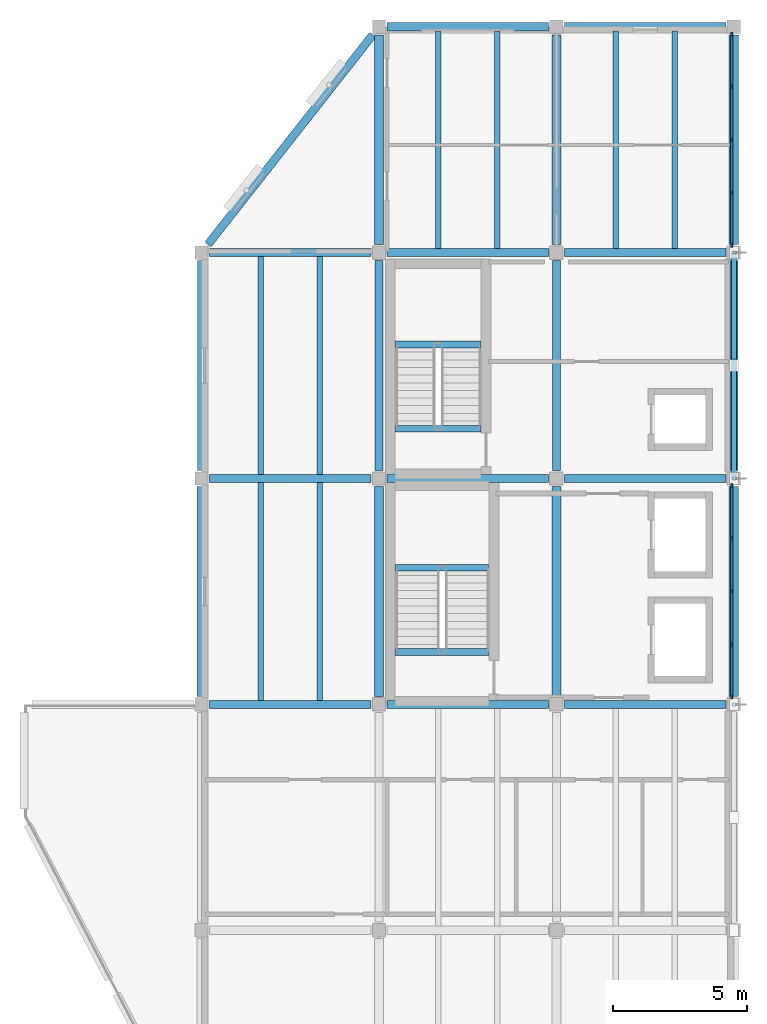
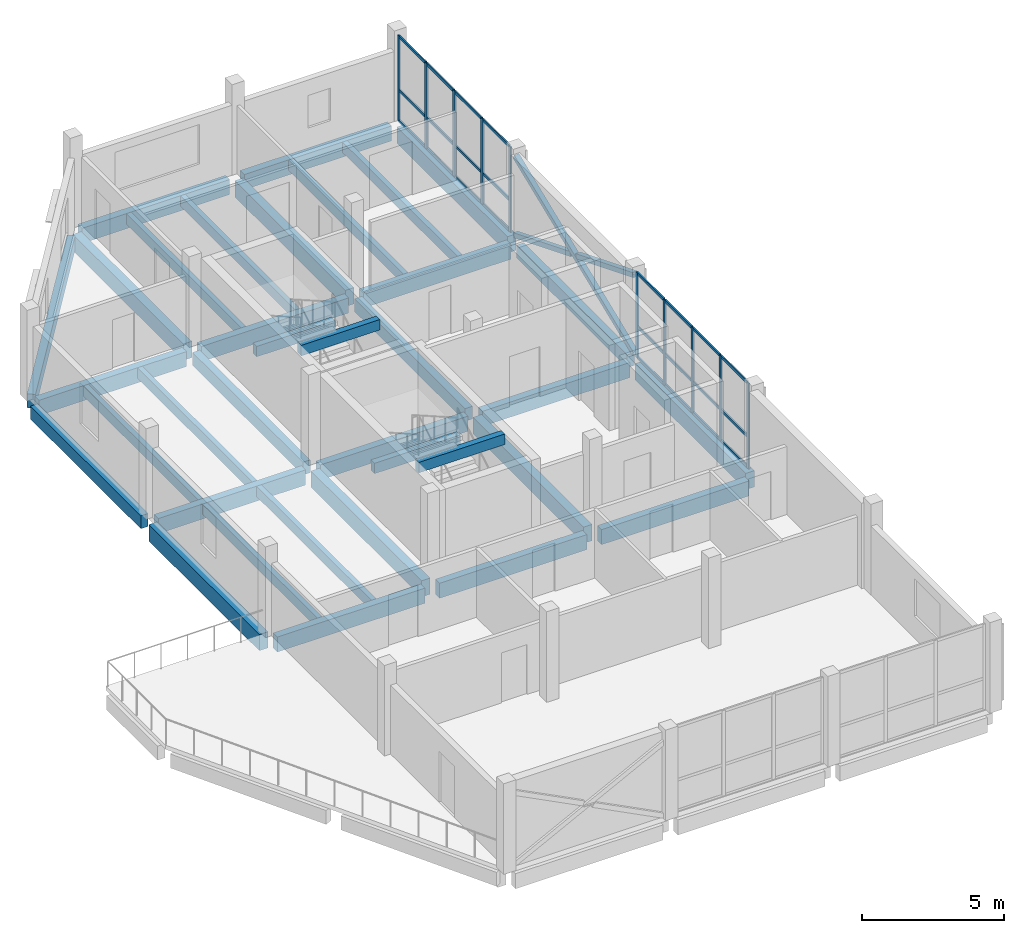
# One storey, part 3 of 9: 37 members, 35 beams, 2 elements without a shape of their own.
"""IFC4 building model written with IfcOpenShell, lengths in metres."""

from ifc_helpers import new_model, si_unit, direction, frame, origin, origin_2d, place, context, subcontext, project, spatial, rectangle, hollow_rectangle, extrude, material, material_profile, profile_set, type_object, element, aggregate, save


model = new_model("IFC4")

# Units and contexts
model_context = context("Model", 3, precision=1e-05, world=origin(), true_north=direction((0.0, 1.0)))
body_context = subcontext(model_context, "Body", "Model", "MODEL_VIEW")
ifc_project = project(units=[si_unit("LENGTHUNIT", "METRE"), si_unit("AREAUNIT", "SQUARE_METRE"), si_unit("VOLUMEUNIT", "CUBIC_METRE"), si_unit("PLANEANGLEUNIT", "RADIAN"), si_unit("MASSUNIT", "GRAM", prefix="KILO")], contexts=[model_context])

# Site, building, storey
site_placement = place(None, origin())
site = spatial("IfcSite", under=ifc_project, at=site_placement, CompositionType="ELEMENT")
building_placement = place(site_placement, origin())
building = spatial("IfcBuilding", under=site, at=building_placement, Name="Qaldarim Faculty of Natural and Applied Sciences", CompositionType="ELEMENT")
storey_placement = place(building_placement, frame((0.0, 0.0, 43.199951171875)))
storey = spatial("IfcBuildingStorey", under=building, at=storey_placement, Name="L10", CompositionType="ELEMENT", Elevation=43.199951171875)

# Beams
ifc_material_1 = material(Name="Concrete C40/50", Category="concrete")
ifc_material_profile_1 = material_profile(ifc_material_1, rectangle(XDim=0.300048828125, YDim=0.550048828125, at=origin_2d()), Name="RC-B300x550")
ifc_profile_set_1 = profile_set([ifc_material_profile_1], Name="Concrete C40/50")
beam_type_1 = type_object("IfcBeamType", Name="FloorBeam-RC300x550", PredefinedType="BEAM", material=ifc_profile_set_1)
for number, where, z_axis, x_axis, name in (
    (1, (158.39990234375, 25.5, -0.494873046875), (0.0, 1.0, 0.0), (-1.0, 0.0, 0.0), "Beam RC-B300x550 L09 X25/Y04-Y05"),
    (2, (165.0, 25.5, -0.494873046875), (0.0, 1.0, 0.0), (-1.0, 0.0, 0.0), "Beam RC-B300x550 L09 X26/Y04-Y05"),
    (3, (171.60009765625, 25.5, -0.494873046875), (0.0, 1.0, 0.0), (-1.0, 0.0, 0.0), "Beam RC-B300x550 L09 X27/Y04-Y05"),
    (4, (178.199951171875, 25.5, -0.494873046875), (0.0, 1.0, 0.0), (-1.0, 0.0, 0.0), "Beam RC-B300x550 L09 X28/Y04-Y05"),
):
    element("IfcBeam", number, at=place(storey_placement, frame(where, z_axis=z_axis, x_axis=x_axis)), inside=storey, type_object=beam_type_1, Name=name, PredefinedType="BEAM", context=body_context, shape_type="SweptSolid", body=[
        extrude(rectangle(XDim=0.300048828125, YDim=0.550048828125, at=origin_2d()), origin(), (0.0, 0.0, 1.0), 7.800048828125),
    ])
ifc_material_profile_2 = material_profile(ifc_material_1, rectangle(XDim=0.199951171875, YDim=0.449951171875, at=origin_2d()), Name="RC-J200x450")
ifc_profile_set_2 = profile_set([ifc_material_profile_2], Name="Concrete C40/50")
beam_type_2 = type_object("IfcBeamType", Name="LabJoist-RC200x450", PredefinedType="JOIST", material=ifc_profile_set_2)
for number, where, z_axis, x_axis, name in (
    (5, (160.60009765625, 16.949951171875, -0.445068359375), (0.0, 1.0, 0.0), (-1.0, 0.0, 0.0), "Laboratory joist L09 bay X25Y03-1"),
    (6, (162.800048828125, 16.949951171875, -0.445068359375), (0.0, 1.0, 0.0), (-1.0, 0.0, 0.0), "Laboratory joist L09 bay X25Y03-2"),
):
    element("IfcBeam", number, at=place(storey_placement, frame(where, z_axis=z_axis, x_axis=x_axis)), inside=storey, type_object=beam_type_2, Name=name, PredefinedType="JOIST", context=body_context, shape_type="SweptSolid", body=[
        extrude(rectangle(XDim=0.199951171875, YDim=0.449951171875, at=origin_2d()), origin(), (0.0, 0.0, 1.0), 8.10009765625),
    ])
for number, where, z_axis, x_axis, name in (
    (7, (160.60009765625, 25.35009765625, -0.445068359375), (0.0, 1.0, 0.0), (-1.0, 0.0, 0.0), "Laboratory joist L09 bay X25Y04-1"),
    (8, (162.800048828125, 25.35009765625, -0.445068359375), (0.0, 1.0, 0.0), (-1.0, 0.0, 0.0), "Laboratory joist L09 bay X25Y04-2"),
):
    element("IfcBeam", number, at=place(storey_placement, frame(where, z_axis=z_axis, x_axis=x_axis)), inside=storey, type_object=beam_type_2, Name=name, PredefinedType="JOIST", context=body_context, shape_type="SweptSolid", body=[
        extrude(rectangle(XDim=0.199951171875, YDim=0.449951171875, at=origin_2d()), origin(), (0.0, 0.0, 1.0), 8.099853515625),
    ])
for number, where, z_axis, x_axis, name in (
    (9, (167.199951171875, 33.75, -0.445068359375), (0.0, 1.0, 0.0), (-1.0, 0.0, 0.0), "Laboratory joist L09 bay X26Y05-1"),
    (10, (169.39990234375, 33.75, -0.445068359375), (0.0, 1.0, 0.0), (-1.0, 0.0, 0.0), "Laboratory joist L09 bay X26Y05-2"),
    (11, (173.800048828125, 33.75, -0.445068359375), (0.0, 1.0, 0.0), (-1.0, 0.0, 0.0), "Laboratory joist L09 bay X27Y05-1"),
    (12, (176.0, 33.75, -0.445068359375), (0.0, 1.0, 0.0), (-1.0, 0.0, 0.0), "Laboratory joist L09 bay X27Y05-2"),
):
    element("IfcBeam", number, at=place(storey_placement, frame(where, z_axis=z_axis, x_axis=x_axis)), inside=storey, type_object=beam_type_2, Name=name, PredefinedType="JOIST", context=body_context, shape_type="SweptSolid", body=[
        extrude(rectangle(XDim=0.199951171875, YDim=0.449951171875, at=origin_2d()), origin(), (0.0, 0.0, 1.0), 8.10009765625),
    ])
ifc_material_profile_3 = material_profile(ifc_material_1, rectangle(XDim=0.25, YDim=0.449951171875, at=origin_2d()), Name="RC-LN250x450")
ifc_profile_set_3 = profile_set([ifc_material_profile_3], Name="Concrete C40/50")
beam_type_3 = type_object("IfcBeamType", Name="LandingSupportBeam-RC250x450", PredefinedType="BEAM", material=ifc_profile_set_3)
for number, where, z_axis, x_axis, name in (
    (13, (165.60009765625, 21.885009765625, 1.51513671875), (1.0, 0.0, 0.0), (0.0, 1.0, 0.0), "Stair landing support beam ST-A1 L10"),
    (14, (165.60009765625, 18.75, 3.455078125), (1.0, 0.0, 0.0), (0.0, 1.0, 0.0), "Stair arrival support beam ST-A1 L10"),
):
    element("IfcBeam", number, at=place(storey_placement, frame(where, z_axis=z_axis, x_axis=x_axis)), inside=storey, type_object=beam_type_3, Name=name, PredefinedType="BEAM", context=body_context, shape_type="SweptSolid", body=[
        extrude(rectangle(XDim=0.25, YDim=0.449951171875, at=origin_2d()), origin(), (0.0, 0.0, 1.0), 3.5),
    ])
for number, where, z_axis, x_axis, name in (
    (15, (165.60009765625, 30.18505859375, 1.51513671875), (1.0, 0.0, 0.0), (0.0, 1.0, 0.0), "Stair landing support beam ST-A2 L10"),
    (16, (165.60009765625, 27.050048828125, 3.455078125), (1.0, 0.0, 0.0), (0.0, 1.0, 0.0), "Stair arrival support beam ST-A2 L10"),
):
    element("IfcBeam", number, at=place(storey_placement, frame(where, z_axis=z_axis, x_axis=x_axis)), inside=storey, type_object=beam_type_3, Name=name, PredefinedType="BEAM", context=body_context, shape_type="SweptSolid", body=[
        extrude(rectangle(XDim=0.25, YDim=0.449951171875, at=origin_2d()), origin(), (0.0, 0.0, 1.0), 3.199951171875),
    ])

# Curtain wall, members
ifc_material_2 = material(Name="Anodised aluminium AW-6063", Category="aluminium")
curtain_wall_type = type_object("IfcCurtainWallType", Name="CurtainWallSystem-M1950", PredefinedType="USERDEFINED", material=ifc_material_2)
curtain_wall_1_placement = place(storey_placement, origin())
curtain_wall_1 = element("IfcCurtainWall", 17, at=curtain_wall_1_placement, inside=storey, type_object=curtain_wall_type, Name="Curtain wall CW-L10-E-X27Y03", ObjectType="UNITISED FACADE", PredefinedType="USERDEFINED")
ifc_material_profile_4 = material_profile(ifc_material_2, rectangle(XDim=0.06005859375, YDim=0.14990234375, at=origin_2d()), Name="ALU-M60x150")
ifc_profile_set_4 = profile_set([ifc_material_profile_4], Name="Anodised aluminium AW-6063")
member_type_1 = type_object("IfcMemberType", Name="Mullion-ALU60x150", PredefinedType="MULLION", material=ifc_profile_set_4)
member_1_placement = place(storey_placement, frame((178.1201171875, 17.074951171875, 0.0), z_axis=(0.0, 0.0, 1.0), x_axis=(-1.0, 0.0, 0.0)))
member_1 = element("IfcMember", 18, at=member_1_placement, type_object=member_type_1, Name="Mullion 1 of CW-L10-E-X27Y03", PredefinedType="MULLION", context=body_context, shape_type="SweptSolid", body=[
    extrude(rectangle(XDim=0.06005859375, YDim=0.14990234375, at=origin_2d()), origin(), (0.0, 0.0, 1.0), 3.679931640625),
])
member_2_placement = place(storey_placement, frame((178.1201171875, 19.0224609375, 0.0), z_axis=(0.0, 0.0, 1.0), x_axis=(-1.0, 0.0, 0.0)))
member_2 = element("IfcMember", 19, at=member_2_placement, type_object=member_type_1, Name="Mullion 2 of CW-L10-E-X27Y03", PredefinedType="MULLION", context=body_context, shape_type="SweptSolid", body=[
    extrude(rectangle(XDim=0.06005859375, YDim=0.14990234375, at=origin_2d()), origin(), (0.0, 0.0, 1.0), 3.679931640625),
])
member_3_placement = place(storey_placement, frame((178.1201171875, 21.0, 0.0), z_axis=(0.0, 0.0, 1.0), x_axis=(-1.0, 0.0, 0.0)))
member_3 = element("IfcMember", 20, at=member_3_placement, type_object=member_type_1, Name="Mullion 3 of CW-L10-E-X27Y03", PredefinedType="MULLION", context=body_context, shape_type="SweptSolid", body=[
    extrude(rectangle(XDim=0.06005859375, YDim=0.14990234375, at=origin_2d()), origin(), (0.0, 0.0, 1.0), 3.679931640625),
])
member_4_placement = place(storey_placement, frame((178.1201171875, 22.9775390625, 0.0), z_axis=(0.0, 0.0, 1.0), x_axis=(-1.0, 0.0, 0.0)))
member_4 = element("IfcMember", 21, at=member_4_placement, type_object=member_type_1, Name="Mullion 4 of CW-L10-E-X27Y03", PredefinedType="MULLION", context=body_context, shape_type="SweptSolid", body=[
    extrude(rectangle(XDim=0.06005859375, YDim=0.14990234375, at=origin_2d()), origin(), (0.0, 0.0, 1.0), 3.679931640625),
])
member_5_placement = place(storey_placement, frame((178.1201171875, 24.925048828125, 0.0), z_axis=(0.0, 0.0, 1.0), x_axis=(-1.0, 0.0, 0.0)))
member_5 = element("IfcMember", 22, at=member_5_placement, type_object=member_type_1, Name="Mullion 5 of CW-L10-E-X27Y03", PredefinedType="MULLION", context=body_context, shape_type="SweptSolid", body=[
    extrude(rectangle(XDim=0.06005859375, YDim=0.14990234375, at=origin_2d()), origin(), (0.0, 0.0, 1.0), 3.679931640625),
])

curtain_wall_2_placement = place(storey_placement, origin())
curtain_wall_2 = element("IfcCurtainWall", 23, at=curtain_wall_2_placement, inside=storey, type_object=curtain_wall_type, Name="Curtain wall CW-L10-E-X27Y05", ObjectType="UNITISED FACADE", PredefinedType="USERDEFINED")
member_6_placement = place(storey_placement, frame((178.1201171875, 33.875, 0.0), z_axis=(0.0, 0.0, 1.0), x_axis=(-1.0, 0.0, 0.0)))
member_6 = element("IfcMember", 24, at=member_6_placement, type_object=member_type_1, Name="Mullion 1 of CW-L10-E-X27Y05", PredefinedType="MULLION", context=body_context, shape_type="SweptSolid", body=[
    extrude(rectangle(XDim=0.06005859375, YDim=0.14990234375, at=origin_2d()), origin(), (0.0, 0.0, 1.0), 3.679931640625),
])
member_7_placement = place(storey_placement, frame((178.1201171875, 35.822509765625, 0.0), z_axis=(0.0, 0.0, 1.0), x_axis=(-1.0, 0.0, 0.0)))
member_7 = element("IfcMember", 25, at=member_7_placement, type_object=member_type_1, Name="Mullion 2 of CW-L10-E-X27Y05", PredefinedType="MULLION", context=body_context, shape_type="SweptSolid", body=[
    extrude(rectangle(XDim=0.06005859375, YDim=0.14990234375, at=origin_2d()), origin(), (0.0, 0.0, 1.0), 3.679931640625),
])
member_8_placement = place(storey_placement, frame((178.1201171875, 37.800048828125, 0.0), z_axis=(0.0, 0.0, 1.0), x_axis=(-1.0, 0.0, 0.0)))
member_8 = element("IfcMember", 26, at=member_8_placement, type_object=member_type_1, Name="Mullion 3 of CW-L10-E-X27Y05", PredefinedType="MULLION", context=body_context, shape_type="SweptSolid", body=[
    extrude(rectangle(XDim=0.06005859375, YDim=0.14990234375, at=origin_2d()), origin(), (0.0, 0.0, 1.0), 3.679931640625),
])
member_9_placement = place(storey_placement, frame((178.1201171875, 39.777587890625, 0.0), z_axis=(0.0, 0.0, 1.0), x_axis=(-1.0, 0.0, 0.0)))
member_9 = element("IfcMember", 27, at=member_9_placement, type_object=member_type_1, Name="Mullion 4 of CW-L10-E-X27Y05", PredefinedType="MULLION", context=body_context, shape_type="SweptSolid", body=[
    extrude(rectangle(XDim=0.06005859375, YDim=0.14990234375, at=origin_2d()), origin(), (0.0, 0.0, 1.0), 3.679931640625),
])
member_10_placement = place(storey_placement, frame((178.1201171875, 41.72509765625, 0.0), z_axis=(0.0, 0.0, 1.0), x_axis=(-1.0, 0.0, 0.0)))
member_10 = element("IfcMember", 28, at=member_10_placement, type_object=member_type_1, Name="Mullion 5 of CW-L10-E-X27Y05", PredefinedType="MULLION", context=body_context, shape_type="SweptSolid", body=[
    extrude(rectangle(XDim=0.06005859375, YDim=0.14990234375, at=origin_2d()), origin(), (0.0, 0.0, 1.0), 3.679931640625),
])

# Beams
ifc_material_profile_5 = material_profile(ifc_material_1, rectangle(XDim=0.300048828125, YDim=0.64990234375, at=origin_2d()), Name="RC-B300x650")
ifc_profile_set_5 = profile_set([ifc_material_profile_5], Name="Concrete C40/50")
beam_type_4 = type_object("IfcBeamType", Name="PrimaryBeam-RC300x650", PredefinedType="BEAM", material=ifc_profile_set_5)
for number, where, z_axis, x_axis, name in (
    (29, (158.699951171875, 16.800048828125, -0.544921875), (1.0, 0.0, 0.0), (0.0, 1.0, 0.0), "Beam RC-B300x650 L09 X25-X26/Y03"),
    (30, (165.300048828125, 16.800048828125, -0.544921875), (1.0, 0.0, 0.0), (0.0, 1.0, 0.0), "Beam RC-B300x650 L09 X26-X27/Y03"),
    (31, (171.89990234375, 16.800048828125, -0.544921875), (1.0, 0.0, 0.0), (0.0, 1.0, 0.0), "Beam RC-B300x650 L09 X27-X28/Y03"),
    (32, (158.699951171875, 25.199951171875, -0.544921875), (1.0, 0.0, 0.0), (0.0, 1.0, 0.0), "Beam RC-B300x650 L09 X25-X26/Y04"),
    (33, (165.300048828125, 25.199951171875, -0.544921875), (1.0, 0.0, 0.0), (0.0, 1.0, 0.0), "Beam RC-B300x650 L09 X26-X27/Y04"),
    (34, (171.89990234375, 25.199951171875, -0.544921875), (1.0, 0.0, 0.0), (0.0, 1.0, 0.0), "Beam RC-B300x650 L09 X27-X28/Y04"),
    (35, (158.699951171875, 33.60009765625, -0.544921875), (1.0, 0.0, 0.0), (0.0, 1.0, 0.0), "Beam RC-B300x650 L09 X25-X26/Y05"),
    (36, (165.300048828125, 33.60009765625, -0.544921875), (1.0, 0.0, 0.0), (0.0, 1.0, 0.0), "Beam RC-B300x650 L09 X26-X27/Y05"),
    (37, (171.89990234375, 33.60009765625, -0.544921875), (1.0, 0.0, 0.0), (0.0, 1.0, 0.0), "Beam RC-B300x650 L09 X27-X28/Y05"),
    (38, (165.300048828125, 42.0, -0.544921875), (1.0, 0.0, 0.0), (0.0, 1.0, 0.0), "Beam RC-B300x650 L09 X26-X27/Y06"),
    (39, (171.89990234375, 42.0, -0.544921875), (1.0, 0.0, 0.0), (0.0, 1.0, 0.0), "Beam RC-B300x650 L09 X27-X28/Y06"),
):
    element("IfcBeam", number, at=place(storey_placement, frame(where, z_axis=z_axis, x_axis=x_axis)), inside=storey, type_object=beam_type_4, Name=name, PredefinedType="BEAM", context=body_context, shape_type="SweptSolid", body=[
        extrude(rectangle(XDim=0.300048828125, YDim=0.64990234375, at=origin_2d()), origin(), (0.0, 0.0, 1.0), 6.0),
    ])
ifc_material_profile_6 = material_profile(ifc_material_1, rectangle(XDim=0.35009765625, YDim=0.699951171875, at=origin_2d()), Name="RC-B350x700")
ifc_profile_set_6 = profile_set([ifc_material_profile_6], Name="Concrete C40/50")
beam_type_5 = type_object("IfcBeamType", Name="PrimaryGirder-RC350x700", PredefinedType="BEAM", material=ifc_profile_set_6)
for number, where, z_axis, x_axis, name in (
    (40, (158.39990234375, 17.10009765625, -0.570068359375), (0.0, 1.0, 0.0), (-1.0, 0.0, 0.0), "Beam RC-B350x700 L09 X25/Y03-Y04"),
    (41, (165.0, 17.10009765625, -0.570068359375), (0.0, 1.0, 0.0), (-1.0, 0.0, 0.0), "Beam RC-B350x700 L09 X26/Y03-Y04"),
):
    element("IfcBeam", number, at=place(storey_placement, frame(where, z_axis=z_axis, x_axis=x_axis)), inside=storey, type_object=beam_type_5, Name=name, PredefinedType="BEAM", context=body_context, shape_type="SweptSolid", body=[
        extrude(rectangle(XDim=0.35009765625, YDim=0.699951171875, at=origin_2d()), origin(), (0.0, 0.0, 1.0), 7.7998046875),
    ])
beam_1_placement = place(storey_placement, frame((165.0, 33.89990234375, -0.570068359375), z_axis=(0.0, 1.0, 0.0), x_axis=(-1.0, 0.0, 0.0)))
element("IfcBeam", 42, at=beam_1_placement, inside=storey, type_object=beam_type_5, Name="Beam RC-B350x700 L09 X26/Y05-Y06", PredefinedType="BEAM", context=body_context, shape_type="SweptSolid", body=[
    extrude(rectangle(XDim=0.35009765625, YDim=0.699951171875, at=origin_2d()), origin(), (0.0, 0.0, 1.0), 7.800048828125),
])
beam_2_placement = place(storey_placement, frame((171.60009765625, 17.10009765625, -0.570068359375), z_axis=(0.0, 1.0, 0.0), x_axis=(-1.0, 0.0, 0.0)))
element("IfcBeam", 43, at=beam_2_placement, inside=storey, type_object=beam_type_5, Name="Beam RC-B350x700 L09 X27/Y03-Y04", PredefinedType="BEAM", context=body_context, shape_type="SweptSolid", body=[
    extrude(rectangle(XDim=0.35009765625, YDim=0.699951171875, at=origin_2d()), origin(), (0.0, 0.0, 1.0), 7.7998046875),
])
beam_3_placement = place(storey_placement, frame((171.60009765625, 33.89990234375, -0.570068359375), z_axis=(0.0, 1.0, 0.0), x_axis=(-1.0, 0.0, 0.0)))
element("IfcBeam", 44, at=beam_3_placement, inside=storey, type_object=beam_type_5, Name="Beam RC-B350x700 L09 X27/Y05-Y06", PredefinedType="BEAM", context=body_context, shape_type="SweptSolid", body=[
    extrude(rectangle(XDim=0.35009765625, YDim=0.699951171875, at=origin_2d()), origin(), (0.0, 0.0, 1.0), 7.800048828125),
])
beam_4_placement = place(storey_placement, frame((178.199951171875, 17.10009765625, -0.570068359375), z_axis=(0.0, 1.0, 0.0), x_axis=(-1.0, 0.0, 0.0)))
element("IfcBeam", 45, at=beam_4_placement, inside=storey, type_object=beam_type_5, Name="Beam RC-B350x700 L09 X28/Y03-Y04", PredefinedType="BEAM", context=body_context, shape_type="SweptSolid", body=[
    extrude(rectangle(XDim=0.35009765625, YDim=0.699951171875, at=origin_2d()), origin(), (0.0, 0.0, 1.0), 7.7998046875),
])
beam_5_placement = place(storey_placement, frame((178.199951171875, 33.89990234375, -0.570068359375), z_axis=(0.0, 1.0, 0.0), x_axis=(-1.0, 0.0, 0.0)))
element("IfcBeam", 46, at=beam_5_placement, inside=storey, type_object=beam_type_5, Name="Beam RC-B350x700 L09 X28/Y05-Y06", PredefinedType="BEAM", context=body_context, shape_type="SweptSolid", body=[
    extrude(rectangle(XDim=0.35009765625, YDim=0.699951171875, at=origin_2d()), origin(), (0.0, 0.0, 1.0), 7.800048828125),
])
ifc_material_3 = material(Name="Precast concrete C40/50", Category="concrete")
ifc_material_profile_7 = material_profile(ifc_material_3, rectangle(XDim=0.300048828125, YDim=0.60009765625, at=origin_2d()), Name="RC-SP300x600")
ifc_profile_set_7 = profile_set([ifc_material_profile_7], Name="Precast concrete C40/50")
beam_type_6 = type_object("IfcBeamType", Name="SpandrelBeam-RC300x600", PredefinedType="SPANDREL", material=ifc_profile_set_7)
beam_6_placement = place(storey_placement, frame((158.64990234375, 33.919921875, -0.52001953125), z_axis=(0.618006143337, 0.786173267669, 0.0), x_axis=(-0.786173267669, 0.618006143337, 0.0)))
element("IfcBeam", 47, at=beam_6_placement, inside=storey, type_object=beam_type_6, Name="Oblique NW chamfer spandrel L09", PredefinedType="SPANDREL", context=body_context, shape_type="SweptSolid", body=[
    extrude(rectangle(XDim=0.300048828125, YDim=0.60009765625, at=origin_2d()), origin(), (0.0, 0.0, 1.0), 9.87060546875),
])

# Member
ifc_material_profile_8 = material_profile(ifc_material_2, rectangle(XDim=0.06005859375, YDim=0.1201171875, at=origin_2d()), Name="ALU-T60x120")
ifc_profile_set_8 = profile_set([ifc_material_profile_8], Name="Anodised aluminium AW-6063")
member_type_2 = type_object("IfcMemberType", Name="Transom-ALU60x120", PredefinedType="USERDEFINED", material=ifc_profile_set_8)
member_11_placement = place(storey_placement, frame((178.1201171875, 17.10498046875, 0.030029296875), z_axis=(0.0, 1.0, 0.0), x_axis=(-1.0, 0.0, 0.0)))
member_11 = element("IfcMember", 48, at=member_11_placement, type_object=member_type_2, Name="Transom 1-1 of CW-L10-E-X27Y03", ObjectType="TRANSOM", PredefinedType="USERDEFINED", context=body_context, shape_type="SweptSolid", body=[
    extrude(rectangle(XDim=0.06005859375, YDim=0.1201171875, at=origin_2d()), origin(), (0.0, 0.0, 1.0), 1.887451171875),
])

member_12_placement = place(storey_placement, frame((178.1201171875, 17.10498046875, 1.35009765625), z_axis=(0.0, 1.0, 0.0), x_axis=(-1.0, 0.0, 0.0)))
member_12 = element("IfcMember", 49, at=member_12_placement, type_object=member_type_2, Name="Transom 1-2 of CW-L10-E-X27Y03", ObjectType="TRANSOM", PredefinedType="USERDEFINED", context=body_context, shape_type="SweptSolid", body=[
    extrude(rectangle(XDim=0.06005859375, YDim=0.1201171875, at=origin_2d()), origin(), (0.0, 0.0, 1.0), 1.887451171875),
])

member_13_placement = place(storey_placement, frame((178.1201171875, 17.10498046875, 3.650146484375), z_axis=(0.0, 1.0, 0.0), x_axis=(-1.0, 0.0, 0.0)))
member_13 = element("IfcMember", 50, at=member_13_placement, type_object=member_type_2, Name="Transom 1-3 of CW-L10-E-X27Y03", ObjectType="TRANSOM", PredefinedType="USERDEFINED", context=body_context, shape_type="SweptSolid", body=[
    extrude(rectangle(XDim=0.06005859375, YDim=0.1201171875, at=origin_2d()), origin(), (0.0, 0.0, 1.0), 1.887451171875),
])

member_14_placement = place(storey_placement, frame((178.1201171875, 19.052490234375, 0.030029296875), z_axis=(0.0, 1.0, 0.0), x_axis=(-1.0, 0.0, 0.0)))
member_14 = element("IfcMember", 51, at=member_14_placement, type_object=member_type_2, Name="Transom 2-1 of CW-L10-E-X27Y03", ObjectType="TRANSOM", PredefinedType="USERDEFINED", context=body_context, shape_type="SweptSolid", body=[
    extrude(rectangle(XDim=0.06005859375, YDim=0.1201171875, at=origin_2d()), origin(), (0.0, 0.0, 1.0), 1.91748046875),
])

member_15_placement = place(storey_placement, frame((178.1201171875, 19.052490234375, 1.35009765625), z_axis=(0.0, 1.0, 0.0), x_axis=(-1.0, 0.0, 0.0)))
member_15 = element("IfcMember", 52, at=member_15_placement, type_object=member_type_2, Name="Transom 2-2 of CW-L10-E-X27Y03", ObjectType="TRANSOM", PredefinedType="USERDEFINED", context=body_context, shape_type="SweptSolid", body=[
    extrude(rectangle(XDim=0.06005859375, YDim=0.1201171875, at=origin_2d()), origin(), (0.0, 0.0, 1.0), 1.91748046875),
])

member_16_placement = place(storey_placement, frame((178.1201171875, 19.052490234375, 3.650146484375), z_axis=(0.0, 1.0, 0.0), x_axis=(-1.0, 0.0, 0.0)))
member_16 = element("IfcMember", 53, at=member_16_placement, type_object=member_type_2, Name="Transom 2-3 of CW-L10-E-X27Y03", ObjectType="TRANSOM", PredefinedType="USERDEFINED", context=body_context, shape_type="SweptSolid", body=[
    extrude(rectangle(XDim=0.06005859375, YDim=0.1201171875, at=origin_2d()), origin(), (0.0, 0.0, 1.0), 1.91748046875),
])

member_17_placement = place(storey_placement, frame((178.1201171875, 21.030029296875, 0.030029296875), z_axis=(0.0, 1.0, 0.0), x_axis=(-1.0, 0.0, 0.0)))
member_17 = element("IfcMember", 54, at=member_17_placement, type_object=member_type_2, Name="Transom 3-1 of CW-L10-E-X27Y03", ObjectType="TRANSOM", PredefinedType="USERDEFINED", context=body_context, shape_type="SweptSolid", body=[
    extrude(rectangle(XDim=0.06005859375, YDim=0.1201171875, at=origin_2d()), origin(), (0.0, 0.0, 1.0), 1.91748046875),
])

member_18_placement = place(storey_placement, frame((178.1201171875, 21.030029296875, 1.35009765625), z_axis=(0.0, 1.0, 0.0), x_axis=(-1.0, 0.0, 0.0)))
member_18 = element("IfcMember", 55, at=member_18_placement, type_object=member_type_2, Name="Transom 3-2 of CW-L10-E-X27Y03", ObjectType="TRANSOM", PredefinedType="USERDEFINED", context=body_context, shape_type="SweptSolid", body=[
    extrude(rectangle(XDim=0.06005859375, YDim=0.1201171875, at=origin_2d()), origin(), (0.0, 0.0, 1.0), 1.91748046875),
])

member_19_placement = place(storey_placement, frame((178.1201171875, 21.030029296875, 3.650146484375), z_axis=(0.0, 1.0, 0.0), x_axis=(-1.0, 0.0, 0.0)))
member_19 = element("IfcMember", 56, at=member_19_placement, type_object=member_type_2, Name="Transom 3-3 of CW-L10-E-X27Y03", ObjectType="TRANSOM", PredefinedType="USERDEFINED", context=body_context, shape_type="SweptSolid", body=[
    extrude(rectangle(XDim=0.06005859375, YDim=0.1201171875, at=origin_2d()), origin(), (0.0, 0.0, 1.0), 1.91748046875),
])

member_20_placement = place(storey_placement, frame((178.1201171875, 23.007568359375, 0.030029296875), z_axis=(0.0, 1.0, 0.0), x_axis=(-1.0, 0.0, 0.0)))
member_20 = element("IfcMember", 57, at=member_20_placement, type_object=member_type_2, Name="Transom 4-1 of CW-L10-E-X27Y03", ObjectType="TRANSOM", PredefinedType="USERDEFINED", context=body_context, shape_type="SweptSolid", body=[
    extrude(rectangle(XDim=0.06005859375, YDim=0.1201171875, at=origin_2d()), origin(), (0.0, 0.0, 1.0), 1.887451171875),
])

member_21_placement = place(storey_placement, frame((178.1201171875, 23.007568359375, 1.35009765625), z_axis=(0.0, 1.0, 0.0), x_axis=(-1.0, 0.0, 0.0)))
member_21 = element("IfcMember", 58, at=member_21_placement, type_object=member_type_2, Name="Transom 4-2 of CW-L10-E-X27Y03", ObjectType="TRANSOM", PredefinedType="USERDEFINED", context=body_context, shape_type="SweptSolid", body=[
    extrude(rectangle(XDim=0.06005859375, YDim=0.1201171875, at=origin_2d()), origin(), (0.0, 0.0, 1.0), 1.887451171875),
])

member_22_placement = place(storey_placement, frame((178.1201171875, 23.007568359375, 3.650146484375), z_axis=(0.0, 1.0, 0.0), x_axis=(-1.0, 0.0, 0.0)))
member_22 = element("IfcMember", 59, at=member_22_placement, type_object=member_type_2, Name="Transom 4-3 of CW-L10-E-X27Y03", ObjectType="TRANSOM", PredefinedType="USERDEFINED", context=body_context, shape_type="SweptSolid", body=[
    extrude(rectangle(XDim=0.06005859375, YDim=0.1201171875, at=origin_2d()), origin(), (0.0, 0.0, 1.0), 1.887451171875),
])

aggregate(curtain_wall_1, [member_1, member_2, member_3, member_4, member_5, member_11, member_12, member_13, member_14, member_15, member_16, member_17, member_18, member_19, member_20, member_21, member_22])

member_23_placement = place(storey_placement, frame((178.1201171875, 33.905029296875, 0.030029296875), z_axis=(0.0, 1.0, 0.0), x_axis=(-1.0, 0.0, 0.0)))
member_23 = element("IfcMember", 60, at=member_23_placement, type_object=member_type_2, Name="Transom 1-1 of CW-L10-E-X27Y05", ObjectType="TRANSOM", PredefinedType="USERDEFINED", context=body_context, shape_type="SweptSolid", body=[
    extrude(rectangle(XDim=0.06005859375, YDim=0.1201171875, at=origin_2d()), origin(), (0.0, 0.0, 1.0), 1.887451171875),
])

member_24_placement = place(storey_placement, frame((178.1201171875, 33.905029296875, 1.35009765625), z_axis=(0.0, 1.0, 0.0), x_axis=(-1.0, 0.0, 0.0)))
member_24 = element("IfcMember", 61, at=member_24_placement, type_object=member_type_2, Name="Transom 1-2 of CW-L10-E-X27Y05", ObjectType="TRANSOM", PredefinedType="USERDEFINED", context=body_context, shape_type="SweptSolid", body=[
    extrude(rectangle(XDim=0.06005859375, YDim=0.1201171875, at=origin_2d()), origin(), (0.0, 0.0, 1.0), 1.887451171875),
])

member_25_placement = place(storey_placement, frame((178.1201171875, 33.905029296875, 3.650146484375), z_axis=(0.0, 1.0, 0.0), x_axis=(-1.0, 0.0, 0.0)))
member_25 = element("IfcMember", 62, at=member_25_placement, type_object=member_type_2, Name="Transom 1-3 of CW-L10-E-X27Y05", ObjectType="TRANSOM", PredefinedType="USERDEFINED", context=body_context, shape_type="SweptSolid", body=[
    extrude(rectangle(XDim=0.06005859375, YDim=0.1201171875, at=origin_2d()), origin(), (0.0, 0.0, 1.0), 1.887451171875),
])

member_26_placement = place(storey_placement, frame((178.1201171875, 35.8525390625, 0.030029296875), z_axis=(0.0, 1.0, 0.0), x_axis=(-1.0, 0.0, 0.0)))
member_26 = element("IfcMember", 63, at=member_26_placement, type_object=member_type_2, Name="Transom 2-1 of CW-L10-E-X27Y05", ObjectType="TRANSOM", PredefinedType="USERDEFINED", context=body_context, shape_type="SweptSolid", body=[
    extrude(rectangle(XDim=0.06005859375, YDim=0.1201171875, at=origin_2d()), origin(), (0.0, 0.0, 1.0), 1.91748046875),
])

member_27_placement = place(storey_placement, frame((178.1201171875, 35.8525390625, 1.35009765625), z_axis=(0.0, 1.0, 0.0), x_axis=(-1.0, 0.0, 0.0)))
member_27 = element("IfcMember", 64, at=member_27_placement, type_object=member_type_2, Name="Transom 2-2 of CW-L10-E-X27Y05", ObjectType="TRANSOM", PredefinedType="USERDEFINED", context=body_context, shape_type="SweptSolid", body=[
    extrude(rectangle(XDim=0.06005859375, YDim=0.1201171875, at=origin_2d()), origin(), (0.0, 0.0, 1.0), 1.91748046875),
])

member_28_placement = place(storey_placement, frame((178.1201171875, 35.8525390625, 3.650146484375), z_axis=(0.0, 1.0, 0.0), x_axis=(-1.0, 0.0, 0.0)))
member_28 = element("IfcMember", 65, at=member_28_placement, type_object=member_type_2, Name="Transom 2-3 of CW-L10-E-X27Y05", ObjectType="TRANSOM", PredefinedType="USERDEFINED", context=body_context, shape_type="SweptSolid", body=[
    extrude(rectangle(XDim=0.06005859375, YDim=0.1201171875, at=origin_2d()), origin(), (0.0, 0.0, 1.0), 1.91748046875),
])

member_29_placement = place(storey_placement, frame((178.1201171875, 37.830078125, 0.030029296875), z_axis=(0.0, 1.0, 0.0), x_axis=(-1.0, 0.0, 0.0)))
member_29 = element("IfcMember", 66, at=member_29_placement, type_object=member_type_2, Name="Transom 3-1 of CW-L10-E-X27Y05", ObjectType="TRANSOM", PredefinedType="USERDEFINED", context=body_context, shape_type="SweptSolid", body=[
    extrude(rectangle(XDim=0.06005859375, YDim=0.1201171875, at=origin_2d()), origin(), (0.0, 0.0, 1.0), 1.91748046875),
])

member_30_placement = place(storey_placement, frame((178.1201171875, 37.830078125, 1.35009765625), z_axis=(0.0, 1.0, 0.0), x_axis=(-1.0, 0.0, 0.0)))
member_30 = element("IfcMember", 67, at=member_30_placement, type_object=member_type_2, Name="Transom 3-2 of CW-L10-E-X27Y05", ObjectType="TRANSOM", PredefinedType="USERDEFINED", context=body_context, shape_type="SweptSolid", body=[
    extrude(rectangle(XDim=0.06005859375, YDim=0.1201171875, at=origin_2d()), origin(), (0.0, 0.0, 1.0), 1.91748046875),
])

member_31_placement = place(storey_placement, frame((178.1201171875, 37.830078125, 3.650146484375), z_axis=(0.0, 1.0, 0.0), x_axis=(-1.0, 0.0, 0.0)))
member_31 = element("IfcMember", 68, at=member_31_placement, type_object=member_type_2, Name="Transom 3-3 of CW-L10-E-X27Y05", ObjectType="TRANSOM", PredefinedType="USERDEFINED", context=body_context, shape_type="SweptSolid", body=[
    extrude(rectangle(XDim=0.06005859375, YDim=0.1201171875, at=origin_2d()), origin(), (0.0, 0.0, 1.0), 1.91748046875),
])

member_32_placement = place(storey_placement, frame((178.1201171875, 39.8076171875, 0.030029296875), z_axis=(0.0, 1.0, 0.0), x_axis=(-1.0, 0.0, 0.0)))
member_32 = element("IfcMember", 69, at=member_32_placement, type_object=member_type_2, Name="Transom 4-1 of CW-L10-E-X27Y05", ObjectType="TRANSOM", PredefinedType="USERDEFINED", context=body_context, shape_type="SweptSolid", body=[
    extrude(rectangle(XDim=0.06005859375, YDim=0.1201171875, at=origin_2d()), origin(), (0.0, 0.0, 1.0), 1.887451171875),
])

member_33_placement = place(storey_placement, frame((178.1201171875, 39.8076171875, 1.35009765625), z_axis=(0.0, 1.0, 0.0), x_axis=(-1.0, 0.0, 0.0)))
member_33 = element("IfcMember", 70, at=member_33_placement, type_object=member_type_2, Name="Transom 4-2 of CW-L10-E-X27Y05", ObjectType="TRANSOM", PredefinedType="USERDEFINED", context=body_context, shape_type="SweptSolid", body=[
    extrude(rectangle(XDim=0.06005859375, YDim=0.1201171875, at=origin_2d()), origin(), (0.0, 0.0, 1.0), 1.887451171875),
])

member_34_placement = place(storey_placement, frame((178.1201171875, 39.8076171875, 3.650146484375), z_axis=(0.0, 1.0, 0.0), x_axis=(-1.0, 0.0, 0.0)))
member_34 = element("IfcMember", 71, at=member_34_placement, type_object=member_type_2, Name="Transom 4-3 of CW-L10-E-X27Y05", ObjectType="TRANSOM", PredefinedType="USERDEFINED", context=body_context, shape_type="SweptSolid", body=[
    extrude(rectangle(XDim=0.06005859375, YDim=0.1201171875, at=origin_2d()), origin(), (0.0, 0.0, 1.0), 1.887451171875),
])

aggregate(curtain_wall_2, [member_6, member_7, member_8, member_9, member_10, member_23, member_24, member_25, member_26, member_27, member_28, member_29, member_30, member_31, member_32, member_33, member_34])

# Members
ifc_material_4 = material(Name="Structural steel S355", Category="steel")
ifc_material_profile_9 = material_profile(ifc_material_4, hollow_rectangle(XDim=0.199951171875, YDim=0.199951171875, WallThickness=0.012451171875, at=origin_2d()), Name="SHS 200x200x12.5")
ifc_profile_set_9 = profile_set([ifc_material_profile_9], Name="Structural steel S355")
member_type_3 = type_object("IfcMemberType", Name="UpperWingBrace-SHS200x12-5", PredefinedType="BRACE", material=ifc_profile_set_9)
member_35_placement = place(storey_placement, frame((178.199951171875, 25.199951171875, 0.0), z_axis=(0.0, 0.927710467921, 0.373300532693), x_axis=(-1.0, 0.0, 0.0)))
element("IfcMember", 72, at=member_35_placement, inside=storey, type_object=member_type_3, Name="Upper east diagrid L10 primary brace L", PredefinedType="BRACE", context=body_context, shape_type="SweptSolid", body=[
    extrude(hollow_rectangle(XDim=0.199951171875, YDim=0.199951171875, WallThickness=0.012451171875, at=origin_2d()), origin(), (0.0, 0.0, 1.0), 9.0546875),
])
for number, where, z_axis, x_axis, name in (
    (73, (178.199951171875, 33.60009765625, 0.0), (0.0, -0.927508042448, 0.373803198481), (1.0, 0.0, 0.0), "Upper east diagrid L10 split secondary lower brace R1"),
    (74, (178.199951171875, 29.195068359375, 1.77001953125), (0.0, -0.927508042448, 0.373803198481), (1.0, 0.0, 0.0), "Upper east diagrid L10 split secondary upper brace R2"),
):
    element("IfcMember", number, at=place(storey_placement, frame(where, z_axis=z_axis, x_axis=x_axis)), inside=storey, type_object=member_type_3, Name=name, PredefinedType="BRACE", context=body_context, shape_type="SweptSolid", body=[
        extrude(hollow_rectangle(XDim=0.199951171875, YDim=0.199951171875, WallThickness=0.012451171875, at=origin_2d()), origin(), (0.0, 0.0, 1.0), 4.307373046875),
    ])

save(model, "model.ifc")
